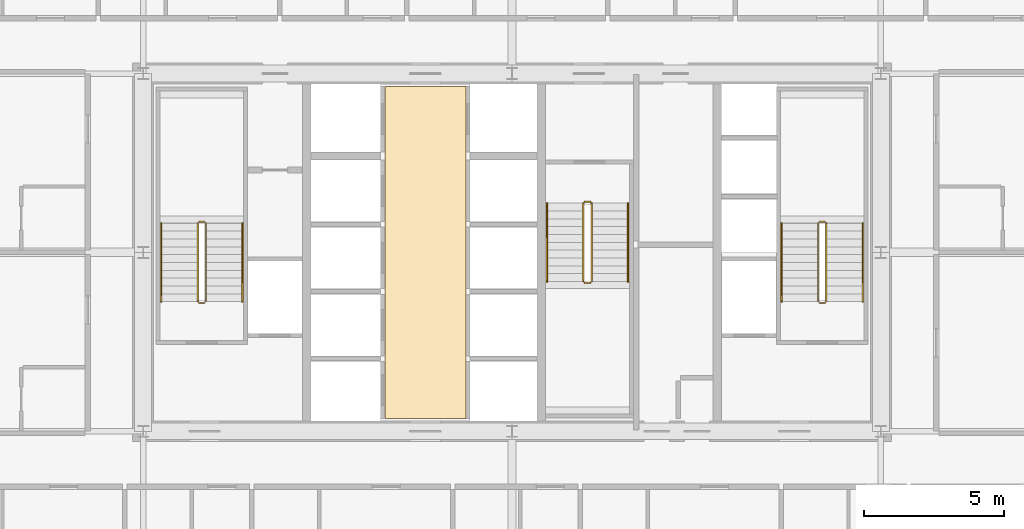
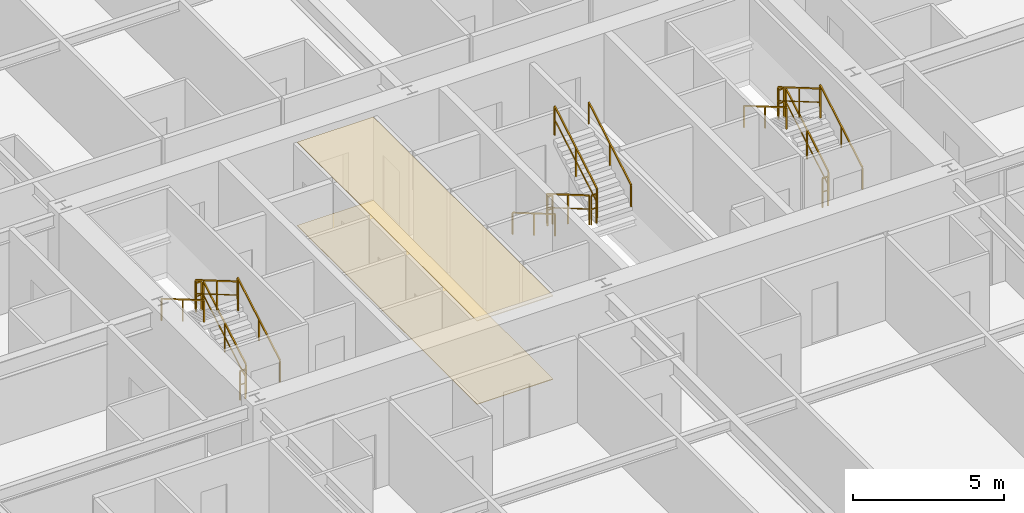
# One storey, part 38 of 38: 18 railings, 2 coverings.
"""IFC4 building model written with IfcOpenShell, lengths in metres."""

from ifc_helpers import new_model, si_unit, direction, frame, origin, origin_2d, place, context, subcontext, project, spatial, polyline, rectangle, outline, extrude, source, transform, mapped, material, layer, layer_set, type_object, element, save


model = new_model("IFC4")

# Units and contexts
model_context = context("Model", 3, precision=1e-05, world=origin(), true_north=direction((0.0, 1.0)))
body_context = subcontext(model_context, "Body", "Model", "MODEL_VIEW")
ifc_project = project(units=[si_unit("LENGTHUNIT", "METRE"), si_unit("AREAUNIT", "SQUARE_METRE"), si_unit("VOLUMEUNIT", "CUBIC_METRE"), si_unit("PLANEANGLEUNIT", "RADIAN"), si_unit("MASSUNIT", "GRAM", prefix="KILO"), si_unit("THERMODYNAMICTEMPERATUREUNIT", "KELVIN"), si_unit("POWERUNIT", "WATT")], contexts=[model_context])

# Site, building, storey
site_placement = place(None, origin())
site = spatial("IfcSite", under=ifc_project, at=site_placement, CompositionType="ELEMENT")
building_placement = place(site_placement, origin())
building = spatial("IfcBuilding", under=site, at=building_placement, Name="Yuzanri Waterfront Tower", CompositionType="ELEMENT")
storey_placement = place(building_placement, frame((0.0, 0.0, 90.199951171875)))
storey = spatial("IfcBuildingStorey", under=building, at=storey_placement, Name="L23", CompositionType="ELEMENT", Elevation=90.199951171875)

# Coverings
ifc_material_1 = material(Name="Engineered Smoked-Oak Timber", Category="wood")
ifc_layer_1 = layer(ifc_material_1, 0.02197265625)
ifc_layer_set_1 = layer_set([ifc_layer_1], Name="Engineered Smoked-Oak Timber")
covering_type_1 = type_object("IfcCoveringType", Name="Engineered Smoked-Oak Residence Flooring 22", PredefinedType="FLOORING", material=ifc_layer_set_1)
covering_1_placement = place(storey_placement, origin())
element("IfcCovering", 1, at=covering_1_placement, inside=storey, type_object=covering_type_1, Name="L23 Smoked-Oak Floor Finish", PredefinedType="FLOORING", context=body_context, shape_type="SweptSolid", body=[
    extrude(outline(polyline([(32.449951171875, 19.860107421875), (35.35009765625, 19.860107421875), (35.35009765625, 31.739990234375), (32.449951171875, 31.739990234375), (32.449951171875, 19.860107421875)])), origin(), (0.0, 0.0, 1.0), 0.02197265625),
])
ifc_material_2 = material(Name="Acoustic Mineral-Fibre Ceiling Board", Category="gypsum")
ifc_layer_2 = layer(ifc_material_2, 0.02490234375)
ifc_layer_set_2 = layer_set([ifc_layer_2], Name="Acoustic Mineral-Fibre Ceiling Board")
covering_type_2 = type_object("IfcCoveringType", Name="Perforated Mineral-Fibre Acoustic Ceiling Tile 25", PredefinedType="CEILING", material=ifc_layer_set_2)
covering_2_placement = place(storey_placement, frame((0.0, 0.0, 3.35498046875)))
element("IfcCovering", 2, at=covering_2_placement, inside=storey, type_object=covering_type_2, Name="L23 Acoustic Mineral-Fibre Ceiling", PredefinedType="CEILING", context=body_context, shape_type="SweptSolid", body=[
    extrude(outline(polyline([(32.449951171875, 19.860107421875), (35.35009765625, 19.860107421875), (35.35009765625, 31.739990234375), (32.449951171875, 31.739990234375), (32.449951171875, 19.860107421875)])), origin(), (0.0, 0.0, 1.0), 0.025146484375),
])

# Railings
ifc_material_3 = material(Name="Painted Galvanized Fire Steel", Category="steel")
ifc_layer_3 = layer(ifc_material_3, 0.06005859375)
ifc_layer_set_3 = layer_set([ifc_layer_3], Name="Painted Galvanized Fire Steel")
railing_type_1 = type_object("IfcRailingType", Name="Painted Steel Stairwell Guardrail 1120", PredefinedType="GUARDRAIL", material=ifc_layer_set_3)
shared_shape_1 = source(origin(), body_context, "Body", "SweptSolid", [
    extrude(rectangle(XDim=0.050048828125, YDim=0.050048828125, at=origin_2d()), frame((0.0, 0.0, 1.1748046875), z_axis=(-1.0, 0.0, 0.0), x_axis=(0.0, -1.0, 0.0)), (0.0, 0.0, 1.0), 0.199951171875),
    extrude(rectangle(XDim=0.035888671875, YDim=0.030029296875, at=origin_2d()), frame((0.0, 0.0, 0.6240234375), z_axis=(-1.0, 0.0, 0.0), x_axis=(0.0, -1.0, 0.0)), (0.0, 0.0, 1.0), 0.199951171875),
    extrude(rectangle(XDim=0.0458984375, YDim=0.0458984375, at=origin_2d()), origin(), (0.0, 0.0, 1.0), 1.14990234375),
    extrude(rectangle(XDim=0.0458984375, YDim=0.0458984375, at=origin_2d()), frame((-0.199951171875, 0.0, 0.0)), (0.0, 0.0, 1.0), 1.14990234375),
])
for number, where, name in (
    (3, (26.0, 26.889892578125, 1.800048828125), "L23 ST-01 stair guard 2"),
    (4, (26.0, 23.989990234375, 0.0), "L23 ST-01 stair guard 4"),
    (5, (48.199951171875, 26.889892578125, 1.800048828125), "L23 ST-02 stair guard 2"),
    (6, (48.199951171875, 23.989990234375, 0.0), "L23 ST-02 stair guard 4"),
):
    element("IfcRailing", number, at=place(storey_placement, frame(where)), inside=storey, type_object=railing_type_1, Name=name, PredefinedType="GUARDRAIL", context=body_context, shape_type="MappedRepresentation", body=[
        mapped(shared_shape_1, transform((0.0, 0.0, 0.0), scale=1.0)),
    ])
shared_shape_2 = source(origin(), body_context, "Body", "SweptSolid", [
    extrude(rectangle(XDim=0.050048828125, YDim=0.050048828125, at=origin_2d()), frame((0.0, 0.0, 1.1748046875), z_axis=(0.0, 0.863360870873, 0.504586966384), x_axis=(-1.0, 0.0, 0.0)), (0.0, 0.0, 1.0), 3.2431640625),
    extrude(rectangle(XDim=0.035888671875, YDim=0.030029296875, at=origin_2d()), frame((0.0, 0.0, 0.6240234375), z_axis=(0.0, 0.863360870873, 0.504586966384), x_axis=(-1.0, 0.0, 0.0)), (0.0, 0.0, 1.0), 3.2431640625),
    extrude(rectangle(XDim=0.0458984375, YDim=0.0458984375, at=origin_2d()), origin(), (0.0, 0.0, 1.0), 1.14990234375),
    extrude(rectangle(XDim=0.0458984375, YDim=0.0458984375, at=origin_2d()), frame((0.0, 1.39990234375, 0.818359375)), (0.0, 0.0, 1.0), 1.14990234375),
    extrude(rectangle(XDim=0.0458984375, YDim=0.0458984375, at=origin_2d()), frame((0.0, 2.800048828125, 1.636474609375)), (0.0, 0.0, 1.0), 1.14990234375),
])
for number, where, name in (
    (7, (26.050048828125, 24.0400390625, 0.16357421875), "L23 ST-01 stair guard 1"),
    (8, (48.25, 24.0400390625, 0.16357421875), "L23 ST-02 stair guard 1"),
    (9, (39.85009765625, 24.760009765625, 1.963623046875), "L23 ST-03 stair guard 3"),
):
    element("IfcRailing", number, at=place(storey_placement, frame(where)), inside=storey, type_object=railing_type_1, Name=name, PredefinedType="GUARDRAIL", context=body_context, shape_type="MappedRepresentation", body=[
        mapped(shared_shape_2, transform((0.0, 0.0, 0.0), scale=1.0)),
    ])
shared_shape_3 = source(origin(), body_context, "Body", "SweptSolid", [
    extrude(rectangle(XDim=0.050048828125, YDim=0.050048828125, at=origin_2d()), frame((0.0, 0.0, 1.1748046875), z_axis=(0.0, -0.863360870873, 0.504586966384), x_axis=(1.0, 0.0, 0.0)), (0.0, 0.0, 1.0), 3.2431640625),
    extrude(rectangle(XDim=0.035888671875, YDim=0.030029296875, at=origin_2d()), frame((0.0, 0.0, 0.6240234375), z_axis=(0.0, -0.863360870873, 0.504586966384), x_axis=(1.0, 0.0, 0.0)), (0.0, 0.0, 1.0), 3.2431640625),
    extrude(rectangle(XDim=0.0458984375, YDim=0.0458984375, at=origin_2d()), origin(), (0.0, 0.0, 1.0), 1.14990234375),
    extrude(rectangle(XDim=0.0458984375, YDim=0.0458984375, at=origin_2d()), frame((0.0, -1.39990234375, 0.818359375)), (0.0, 0.0, 1.0), 1.14990234375),
    extrude(rectangle(XDim=0.0458984375, YDim=0.0458984375, at=origin_2d()), frame((0.0, -2.800048828125, 1.636474609375)), (0.0, 0.0, 1.0), 1.14990234375),
])
for number, where, name in (
    (10, (25.75, 26.840087890625, 1.963623046875), "L23 ST-01 stair guard 3"),
    (11, (47.949951171875, 26.840087890625, 1.963623046875), "L23 ST-02 stair guard 3"),
    (12, (39.550048828125, 27.56005859375, 0.16357421875), "L23 ST-03 stair guard 1"),
):
    element("IfcRailing", number, at=place(storey_placement, frame(where)), inside=storey, type_object=railing_type_1, Name=name, PredefinedType="GUARDRAIL", context=body_context, shape_type="MappedRepresentation", body=[
        mapped(shared_shape_3, transform((0.0, 0.0, 0.0), scale=1.0)),
    ])
ifc_material_4 = material(Name="Anodized Architectural Bronze", Category="metal")
ifc_layer_4 = layer(ifc_material_4, 0.050048828125)
ifc_layer_set_4 = layer_set([ifc_layer_4], Name="Anodized Architectural Bronze")
railing_type_2 = type_object("IfcRailingType", Name="Brushed Bronze Stair Pitch Handrail 920", PredefinedType="HANDRAIL", material=ifc_layer_set_4)
shared_shape_4 = source(origin(), body_context, "Body", "SweptSolid", [
    extrude(rectangle(XDim=0.050048828125, YDim=0.050048828125, at=origin_2d()), frame((0.0, 0.0, 0.875), z_axis=(0.0, 0.863360870873, 0.504586966384), x_axis=(-1.0, 0.0, 0.0)), (0.0, 0.0, 1.0), 3.2431640625),
    extrude(rectangle(XDim=0.0458984375, YDim=0.0458984375, at=origin_2d()), origin(), (0.0, 0.0, 1.0), 0.849853515625),
    extrude(rectangle(XDim=0.0458984375, YDim=0.0458984375, at=origin_2d()), frame((0.0, 1.39990234375, 0.818359375)), (0.0, 0.0, 1.0), 0.849853515625),
    extrude(rectangle(XDim=0.0458984375, YDim=0.0458984375, at=origin_2d()), frame((0.0, 2.800048828125, 1.636474609375)), (0.0, 0.0, 1.0), 0.849853515625),
])
for number, where, name in (
    (13, (27.35009765625, 24.0400390625, 0.16357421875), "L23 ST-01 stair handrail 1"),
    (14, (49.550048828125, 24.0400390625, 0.16357421875), "L23 ST-02 stair handrail 1"),
    (15, (41.14990234375, 24.760009765625, 1.963623046875), "L23 ST-03 stair handrail 2"),
):
    element("IfcRailing", number, at=place(storey_placement, frame(where)), inside=storey, type_object=railing_type_2, Name=name, PredefinedType="HANDRAIL", context=body_context, shape_type="MappedRepresentation", body=[
        mapped(shared_shape_4, transform((0.0, 0.0, 0.0), scale=1.0)),
    ])
shared_shape_5 = source(origin(), body_context, "Body", "SweptSolid", [
    extrude(rectangle(XDim=0.050048828125, YDim=0.050048828125, at=origin_2d()), frame((0.0, 0.0, 0.875), z_axis=(0.0, -0.863360870873, 0.504586966384), x_axis=(1.0, 0.0, 0.0)), (0.0, 0.0, 1.0), 3.2431640625),
    extrude(rectangle(XDim=0.0458984375, YDim=0.0458984375, at=origin_2d()), origin(), (0.0, 0.0, 1.0), 0.849853515625),
    extrude(rectangle(XDim=0.0458984375, YDim=0.0458984375, at=origin_2d()), frame((0.0, -1.39990234375, 0.818359375)), (0.0, 0.0, 1.0), 0.849853515625),
    extrude(rectangle(XDim=0.0458984375, YDim=0.0458984375, at=origin_2d()), frame((0.0, -2.800048828125, 1.636474609375)), (0.0, 0.0, 1.0), 0.849853515625),
])
for number, where, name in (
    (16, (24.449951171875, 26.840087890625, 1.963623046875), "L23 ST-01 stair handrail 2"),
    (17, (46.64990234375, 26.840087890625, 1.963623046875), "L23 ST-02 stair handrail 2"),
    (18, (38.25, 27.56005859375, 0.16357421875), "L23 ST-03 stair handrail 1"),
):
    element("IfcRailing", number, at=place(storey_placement, frame(where)), inside=storey, type_object=railing_type_2, Name=name, PredefinedType="HANDRAIL", context=body_context, shape_type="MappedRepresentation", body=[
        mapped(shared_shape_5, transform((0.0, 0.0, 0.0), scale=1.0)),
    ])
shared_shape_6 = source(origin(), body_context, "Body", "SweptSolid", [
    extrude(rectangle(XDim=0.050048828125, YDim=0.050048828125, at=origin_2d()), frame((0.0, 0.0, 1.1748046875), z_axis=(1.0, 0.0, 0.0), x_axis=(0.0, 1.0, 0.0)), (0.0, 0.0, 1.0), 0.199951171875),
    extrude(rectangle(XDim=0.035888671875, YDim=0.030029296875, at=origin_2d()), frame((0.0, 0.0, 0.6240234375), z_axis=(1.0, 0.0, 0.0), x_axis=(0.0, 1.0, 0.0)), (0.0, 0.0, 1.0), 0.199951171875),
    extrude(rectangle(XDim=0.0458984375, YDim=0.0458984375, at=origin_2d()), origin(), (0.0, 0.0, 1.0), 1.14990234375),
    extrude(rectangle(XDim=0.0458984375, YDim=0.0458984375, at=origin_2d()), frame((0.199951171875, 0.0, 0.0)), (0.0, 0.0, 1.0), 1.14990234375),
])
for number, where, name in (
    (19, (39.60009765625, 24.7099609375, 1.800048828125), "L23 ST-03 stair guard 2"),
    (20, (39.60009765625, 27.610107421875, 0.0), "L23 ST-03 stair guard 4"),
):
    element("IfcRailing", number, at=place(storey_placement, frame(where)), inside=storey, type_object=railing_type_1, Name=name, PredefinedType="GUARDRAIL", context=body_context, shape_type="MappedRepresentation", body=[
        mapped(shared_shape_6, transform((0.0, 0.0, 0.0), scale=1.0)),
    ])

save(model, "model.ifc")
